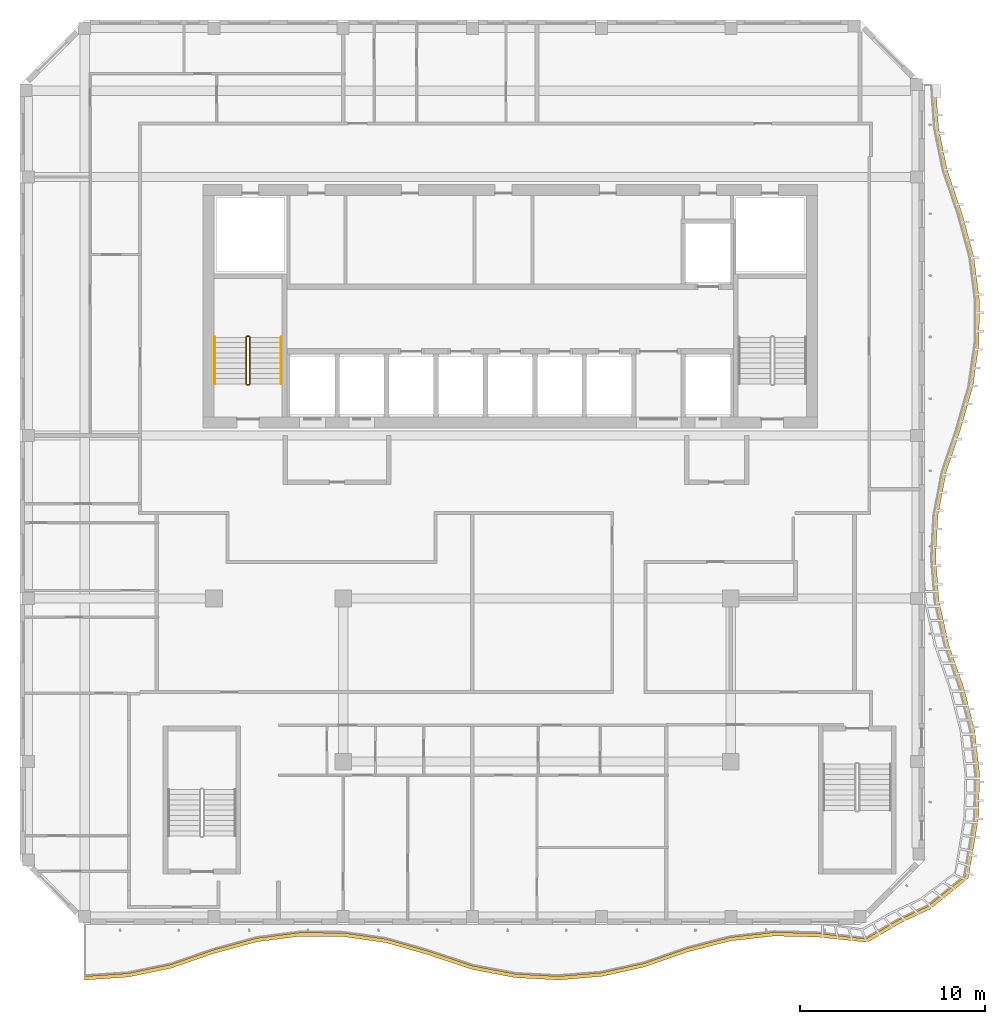
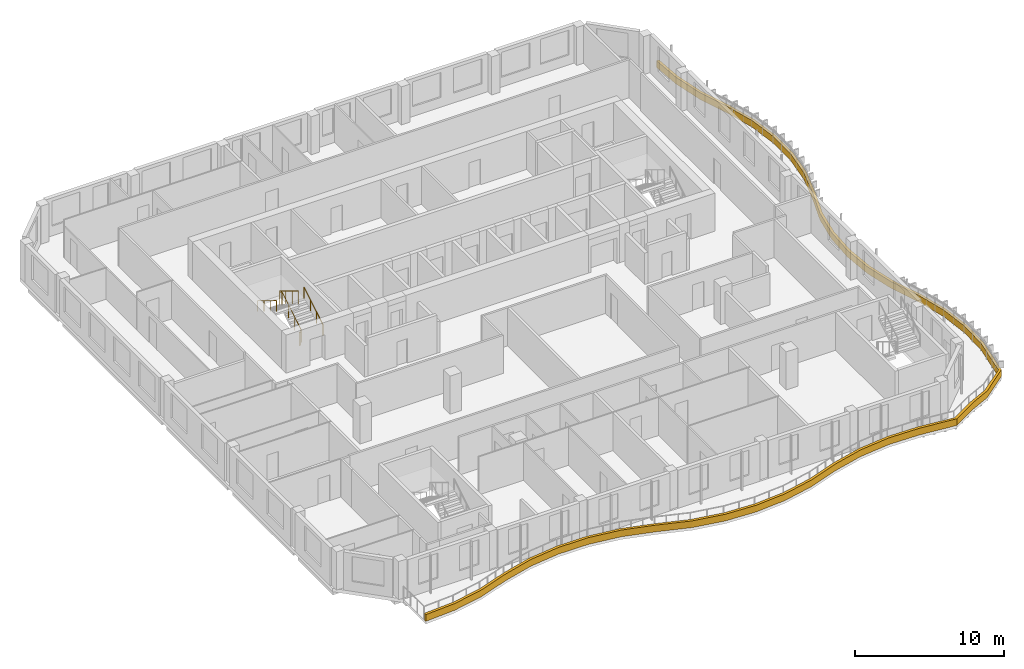
# One storey, part 13 of 18: 3 railings, 1 shading device.
"""IFC4 building model written with IfcOpenShell, lengths in metres."""

from ifc_helpers import new_model, si_unit, direction, frame, origin, origin_2d, place, context, subcontext, project, spatial, polyline, circle, outline, extrude, source, transform, mapped, material, layer, layer_set, type_object, element, save


model = new_model("IFC4")

# Units and contexts
model_context = context("Model", 3, precision=1e-05, world=origin(), true_north=direction((0.0, 1.0)))
body_context = subcontext(model_context, "Body", "Model", "MODEL_VIEW")
ifc_project = project(units=[si_unit("LENGTHUNIT", "METRE"), si_unit("AREAUNIT", "SQUARE_METRE"), si_unit("VOLUMEUNIT", "CUBIC_METRE"), si_unit("PLANEANGLEUNIT", "RADIAN"), si_unit("MASSUNIT", "GRAM", prefix="KILO")], contexts=[model_context])

# Site, building, storey
site_placement = place(None, origin())
site = spatial("IfcSite", under=ifc_project, at=site_placement, CompositionType="ELEMENT")
building_placement = place(site_placement, origin())
building = spatial("IfcBuilding", under=site, at=building_placement, Name="Kilnfold Tower and Market Hall", CompositionType="ELEMENT")
storey_placement = place(building_placement, frame((0.0, 0.0, 277.199951171875)))
storey = spatial("IfcBuildingStorey", under=building, at=storey_placement, Name="L68", CompositionType="ELEMENT", Elevation=277.199951171875)

# Railings
ifc_material_1 = material(Name="Stainless steel 316", Category="steel")
railing_type_1 = type_object("IfcRailingType", Name="CORE STAIR GUARD 1100", PredefinedType="GUARDRAIL", material=ifc_material_1)
railing_1_placement = place(storey_placement, frame((-13.199951171875, 10.75, 0.0)))
element("IfcRailing", 1, at=railing_1_placement, inside=storey, type_object=railing_type_1, Name="L68 ST1 stair guard 1", PredefinedType="GUARDRAIL", context=body_context, shape_type="SweptSolid", body=[
    extrude(circle(Radius=0.02392578125, at=origin_2d()), frame((0.0, 0.0, 1.076171875), z_axis=(1.0, 0.0, 0.0), x_axis=(0.0, 1.0, 0.0)), (0.0, 0.0, 1.0), 0.099853515625),
    extrude(circle(Radius=0.02392578125, at=origin_2d()), frame((0.099853515625, 0.0, 1.076171875), z_axis=(0.271562723297, 0.271562723297, 0.923313259209), x_axis=(-0.707106781187, 0.707106781187, 0.0)), (0.0, 0.0, 1.0), 0.184326171875),
    extrude(circle(Radius=0.02392578125, at=origin_2d()), frame((0.14990234375, 0.050048828125, 1.24609375), z_axis=(0.0, 0.854821627497, 0.518921945155), x_axis=(-1.0, 0.0, 0.0)), (0.0, 0.0, 1.0), 2.947998046875),
    extrude(circle(Radius=0.02392578125, at=origin_2d()), frame((0.14990234375, 2.570068359375, 2.77587890625), z_axis=(-0.707106781187, 0.707106781187, 0.0), x_axis=(-0.707106781187, -0.707106781187, 0.0)), (0.0, 0.0, 1.0), 0.07080078125),
    extrude(circle(Radius=0.02392578125, at=origin_2d()), frame((0.099853515625, 2.6201171875, 2.77587890625), z_axis=(-1.0, 0.0, 0.0), x_axis=(0.0, -1.0, 0.0)), (0.0, 0.0, 1.0), 0.099853515625),
    extrude(circle(Radius=0.02392578125, at=origin_2d()), frame((0.0, 2.6201171875, 2.77587890625), z_axis=(-0.271562723297, -0.271562723297, 0.923313259209), x_axis=(0.707106781187, -0.707106781187, 0.0)), (0.0, 0.0, 1.0), 0.184326171875),
    extrude(circle(Radius=0.02392578125, at=origin_2d()), frame((-0.050048828125, 2.570068359375, 2.9462890625), z_axis=(0.0, -0.85478489116, 0.518982456201), x_axis=(1.0, 0.0, 0.0)), (0.0, 0.0, 1.0), 2.9482421875),
    extrude(circle(Radius=0.02099609375, at=origin_2d()), origin(), (0.0, 0.0, 1.0), 1.052001953125),
    extrude(circle(Radius=0.02099609375, at=origin_2d()), frame((0.099853515625, 0.0, 0.0)), (0.0, 0.0, 1.0), 1.052001953125),
    extrude(circle(Radius=0.02099609375, at=origin_2d()), frame((0.14990234375, 0.050048828125, 0.170166015625)), (0.0, 0.0, 1.0), 1.052001953125),
    extrude(circle(Radius=0.02099609375, at=origin_2d()), frame((0.14990234375, 0.89013671875, 0.68017578125)), (0.0, 0.0, 1.0), 1.052001953125),
    extrude(circle(Radius=0.02099609375, at=origin_2d()), frame((0.14990234375, 1.72998046875, 1.18994140625)), (0.0, 0.0, 1.0), 1.052001953125),
    extrude(circle(Radius=0.02099609375, at=origin_2d()), frame((0.14990234375, 2.570068359375, 1.699951171875)), (0.0, 0.0, 1.0), 1.052001953125),
    extrude(circle(Radius=0.02099609375, at=origin_2d()), frame((0.099853515625, 2.6201171875, 1.699951171875)), (0.0, 0.0, 1.0), 1.052001953125),
    extrude(circle(Radius=0.02099609375, at=origin_2d()), frame((0.0, 2.6201171875, 1.699951171875)), (0.0, 0.0, 1.0), 1.052001953125),
    extrude(circle(Radius=0.02099609375, at=origin_2d()), frame((-0.050048828125, 2.570068359375, 1.8701171875)), (0.0, 0.0, 1.0), 1.052001953125),
    extrude(circle(Radius=0.02099609375, at=origin_2d()), frame((-0.050048828125, 1.72998046875, 2.380126953125)), (0.0, 0.0, 1.0), 1.052001953125),
    extrude(circle(Radius=0.02099609375, at=origin_2d()), frame((-0.050048828125, 0.89013671875, 2.89013671875)), (0.0, 0.0, 1.0), 1.052001953125),
    extrude(circle(Radius=0.02099609375, at=origin_2d()), frame((-0.050048828125, 0.050048828125, 3.400146484375)), (0.0, 0.0, 1.0), 1.052001953125),
])
ifc_material_2 = material(Name="Stainless steel 316", Category="steel")
railing_type_2 = type_object("IfcRailingType", Name="CORE STAIR HANDRAIL 900", PredefinedType="HANDRAIL", material=ifc_material_2)
railing_2_placement = place(storey_placement, frame((-11.35009765625, 10.800048828125, 0.170166015625)))
element("IfcRailing", 2, at=railing_2_placement, inside=storey, type_object=railing_type_2, Name="L68 ST1 stair handrail 1", PredefinedType="HANDRAIL", context=body_context, shape_type="SweptSolid", body=[
    extrude(circle(Radius=0.02392578125, at=origin_2d()), frame((0.0, 0.0, 0.8759765625), z_axis=(0.0, 0.854821627497, 0.518921945155), x_axis=(-1.0, 0.0, 0.0)), (0.0, 0.0, 1.0), 2.947998046875),
    extrude(circle(Radius=0.02099609375, at=origin_2d()), origin(), (0.0, 0.0, 1.0), 0.851806640625),
    extrude(circle(Radius=0.02099609375, at=origin_2d()), frame((0.0, 0.840087890625, 0.510009765625)), (0.0, 0.0, 1.0), 0.851806640625),
    extrude(circle(Radius=0.02099609375, at=origin_2d()), frame((0.0, 1.679931640625, 1.019775390625)), (0.0, 0.0, 1.0), 0.851806640625),
    extrude(circle(Radius=0.02099609375, at=origin_2d()), frame((0.0, 2.52001953125, 1.52978515625)), (0.0, 0.0, 1.0), 0.851806640625),
])
railing_3_placement = place(storey_placement, frame((-14.949951171875, 13.320068359375, 1.8701171875)))
element("IfcRailing", 3, at=railing_3_placement, inside=storey, type_object=railing_type_2, Name="L68 ST1 stair handrail 2", PredefinedType="HANDRAIL", context=body_context, shape_type="SweptSolid", body=[
    extrude(circle(Radius=0.02392578125, at=origin_2d()), frame((0.0, 0.0, 0.8759765625), z_axis=(0.0, -0.85478489116, 0.518982456201), x_axis=(1.0, 0.0, 0.0)), (0.0, 0.0, 1.0), 2.9482421875),
    extrude(circle(Radius=0.02099609375, at=origin_2d()), origin(), (0.0, 0.0, 1.0), 0.851806640625),
    extrude(circle(Radius=0.02099609375, at=origin_2d()), frame((0.0, -0.840087890625, 0.510009765625)), (0.0, 0.0, 1.0), 0.851806640625),
    extrude(circle(Radius=0.02099609375, at=origin_2d()), frame((0.0, -1.679931640625, 1.02001953125)), (0.0, 0.0, 1.0), 0.851806640625),
    extrude(circle(Radius=0.02099609375, at=origin_2d()), frame((0.0, -2.52001953125, 1.530029296875)), (0.0, 0.0, 1.0), 0.851806640625),
])

# Shading device
ifc_material_3 = material(Name="Precast concrete C50/60", Category="concrete")
ifc_layer = layer(ifc_material_3, 0.550048828125)
ifc_layer_set = layer_set([ifc_layer], Name="Precast concrete C50/60")
shading_device_type = type_object("IfcShadingDeviceType", Name="BALCONY UPSTAND 550", PredefinedType="USERDEFINED", material=ifc_layer_set)
shared_shape = source(origin(), body_context, "Body", "SweptSolid", [
    extrude(outline(polyline([(-22.0, -21.5), (-19.666748046875, -21.343017578125), (-17.333251953125, -20.86328125), (-15.0, -20.061279296875), (-12.666748046875, -19.4296875), (-10.333251953125, -19.131103515625), (-8.0, -19.14794921875), (-5.666748046875, -19.481689453125), (-3.333251953125, -20.151123046875), (-1.0, -20.931396484375), (1.333251953125, -21.375244140625), (3.666748046875, -21.498291015625), (6.0, -21.306884765625), (8.333251953125, -20.791015625), (10.666748046875, -19.97607421875), (13.0, -19.3818359375), (15.333251953125, -19.117919921875), (17.666748046875, -19.168701171875), (20.39697265625, -19.458251953125), (22.227783203125, -18.394287109375), (23.81787109375, -17.651123046875), (25.86767578125, -15.980712890625), (26.431396484375, -12.666748046875), (26.482177734375, -10.333251953125), (26.218017578125, -8.0), (25.6240234375, -5.666748046875), (24.80908203125, -3.333251953125), (24.29296875, -1.0), (24.101806640625, 1.333251953125), (24.224609375, 3.666748046875), (24.668701171875, 6.0), (25.448974609375, 8.333251953125), (26.118408203125, 10.666748046875), (26.451904296875, 13.0), (26.468994140625, 15.333251953125), (26.170166015625, 17.666748046875), (25.53857421875, 20.0), (24.73681640625, 22.333251953125), (24.257080078125, 24.666748046875), (24.10009765625, 27.0), (23.89990234375, 27.0), (24.056884765625, 24.666748046875), (24.53662109375, 22.333251953125), (25.338623046875, 20.0), (25.97021484375, 17.666748046875), (26.268798828125, 15.333251953125), (26.251953125, 13.0), (25.91845703125, 10.666748046875), (25.248779296875, 8.333251953125), (24.468505859375, 6.0), (24.024658203125, 3.666748046875), (23.90185546875, 1.333251953125), (24.093017578125, -1.0), (24.60888671875, -3.333251953125), (25.424072265625, -5.666748046875), (26.01806640625, -8.0), (26.2822265625, -10.333251953125), (26.231201171875, -12.666748046875), (25.682861328125, -15.904296875), (23.676513671875, -17.509765625), (22.08642578125, -18.2529296875), (20.320556640625, -19.2734375), (17.666748046875, -18.96875), (15.333251953125, -18.917724609375), (13.0, -19.181884765625), (10.666748046875, -19.77587890625), (8.333251953125, -20.591064453125), (6.0, -21.10693359375), (3.666748046875, -21.298095703125), (1.333251953125, -21.17529296875), (-1.0, -20.7314453125), (-3.333251953125, -19.951171875), (-5.666748046875, -19.281494140625), (-8.0, -18.947998046875), (-10.333251953125, -18.93115234375), (-12.666748046875, -19.229736328125), (-15.0, -19.861328125), (-17.333251953125, -20.663330078125), (-19.666748046875, -21.14306640625), (-22.0, -21.300048828125), (-22.0, -21.5)])), origin(), (0.0, 0.0, 1.0), 0.550048828125),
])
shading_device_placement = place(storey_placement, origin())
element("IfcShadingDevice", 4, at=shading_device_placement, inside=storey, type_object=shading_device_type, Name="Balcony fascia L68", ObjectType="FASCIA", PredefinedType="USERDEFINED", context=body_context, shape_type="MappedRepresentation", body=[
    mapped(shared_shape, transform((0.0, 0.0, 0.0))),
])

save(model, "model.ifc")
